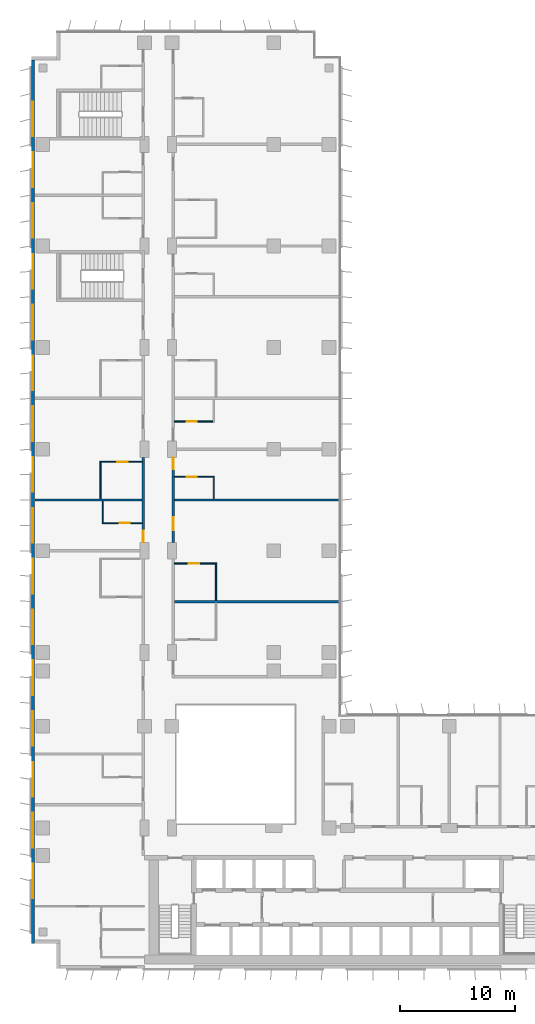
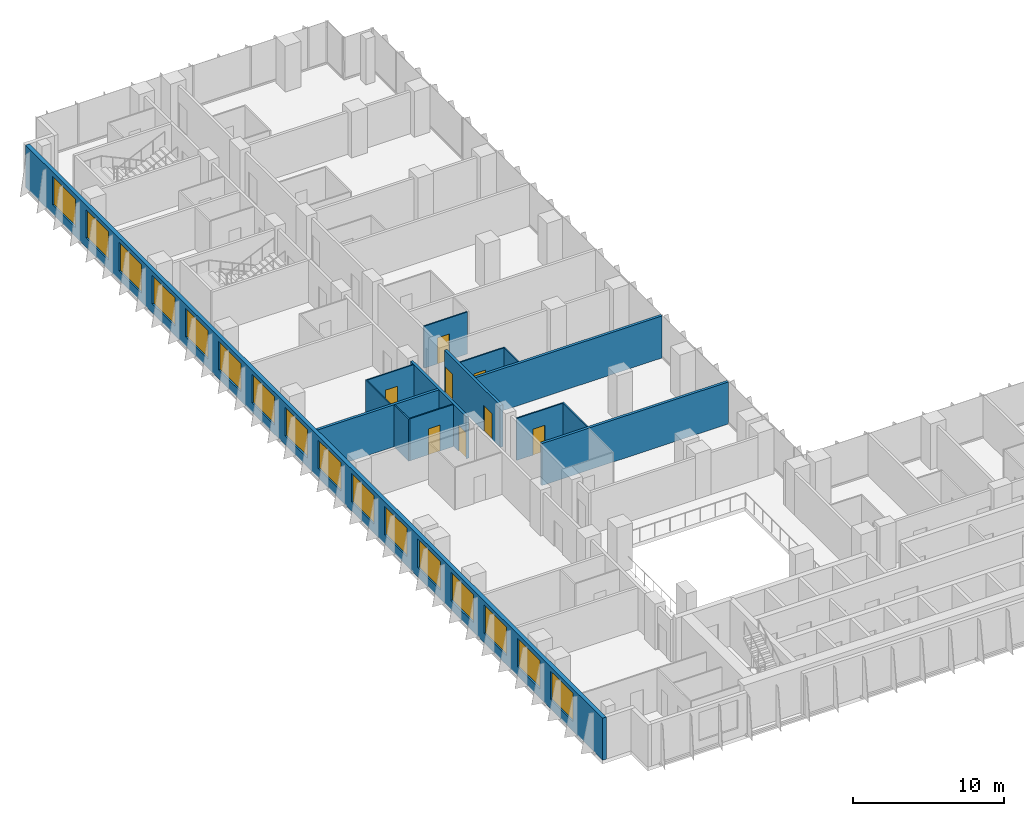
# One storey, part 15 of 22: 16 windows, 15 walls, 8 doors, 24 openings.
"""IFC4 building model written with IfcOpenShell, lengths in metres."""

from ifc_helpers import new_model, si_unit, direction, frame, frame_2d, origin, place, context, subcontext, project, spatial, rectangle, extrude, material, layer, layer_set, type_object, element, fill, save


model = new_model("IFC4")

# Units and contexts
model_context = context("Model", 3, precision=1e-05, world=origin(), true_north=direction((0.0, 1.0)))
body_context = subcontext(model_context, "Body", "Model", "MODEL_VIEW")
ifc_project = project(units=[si_unit("LENGTHUNIT", "METRE"), si_unit("AREAUNIT", "SQUARE_METRE"), si_unit("VOLUMEUNIT", "CUBIC_METRE"), si_unit("PLANEANGLEUNIT", "RADIAN"), si_unit("MASSUNIT", "GRAM", prefix="KILO")], contexts=[model_context])

# Site, building, storey
site_placement = place(None, origin())
site = spatial("IfcSite", under=ifc_project, at=site_placement, CompositionType="ELEMENT")
building_placement = place(site_placement, origin())
building = spatial("IfcBuilding", under=site, at=building_placement, Name="Kemantara Hotel Tower", CompositionType="ELEMENT")
storey_placement = place(building_placement, frame((0.0, 0.0, 107.39990234375)))
storey = spatial("IfcBuildingStorey", under=building, at=storey_placement, Name="L25", CompositionType="ELEMENT", Elevation=107.39990234375)

# Wall, openings, windows
ifc_material_1 = material(Name="Bronze anodised aluminium cladding on insulated steel stud wall", Category="steel")
ifc_layer_1 = layer(ifc_material_1, 0.300048828125)
ifc_layer_set_1 = layer_set([ifc_layer_1], Name="Bronze anodised aluminium cladding on insulated steel stud wall")
wall_type_1 = type_object("IfcWallType", Name="BRONZE METAL-CLAD EXTERNAL WALL 300", PredefinedType="STANDARD", material=ifc_layer_set_1)
wall_1_placement = place(storey_placement, frame((0.14990234375, 78.699951171875, 0.0), z_axis=(0.0, 0.0, 1.0), x_axis=(0.0, -1.0, 0.0)))
wall_1 = element("IfcWall", 1, at=wall_1_placement, inside=storey, type_object=wall_type_1, Name="EXTERNAL WALL L25 T2-R04", PredefinedType="STANDARD", context=body_context, shape_type="SweptSolid", body=[
    extrude(rectangle(XDim=76.5, YDim=0.300048828125, at=frame_2d((38.25, 0.0))), origin(), (0.0, 0.0, 1.0), 3.400146484375),
])
opening_1_placement = place(wall_1_placement, frame((3.60009765625, 0.0, 0.75)))
opening_1 = element("IfcOpeningElement", 2, at=opening_1_placement, cuts=wall_1, Name="Opening W1", PredefinedType="OPENING", context=body_context, shape_type="SweptSolid", body=[
    extrude(rectangle(XDim=3.0, YDim=2.300048828125, at=frame_2d((1.5, 1.14990234375))), frame((0.0, 0.159912109375, 0.0), z_axis=(0.0, -1.0, 0.0), x_axis=(1.0, 0.0, 0.0)), (0.0, 0.0, 1.0), 0.320068359375),
])
opening_2_placement = place(wall_1_placement, frame((8.0, 0.0, 0.75)))
opening_2 = element("IfcOpeningElement", 3, at=opening_2_placement, cuts=wall_1, Name="Opening W1", PredefinedType="OPENING", context=body_context, shape_type="SweptSolid", body=[
    extrude(rectangle(XDim=3.0, YDim=2.300048828125, at=frame_2d((1.5, 1.14990234375))), frame((0.0, 0.159912109375, 0.0), z_axis=(0.0, -1.0, 0.0), x_axis=(1.0, 0.0, 0.0)), (0.0, 0.0, 1.0), 0.320068359375),
])
opening_3_placement = place(wall_1_placement, frame((12.39990234375, 0.0, 0.75)))
opening_3 = element("IfcOpeningElement", 4, at=opening_3_placement, cuts=wall_1, Name="Opening W1", PredefinedType="OPENING", context=body_context, shape_type="SweptSolid", body=[
    extrude(rectangle(XDim=3.0, YDim=2.300048828125, at=frame_2d((1.5, 1.14990234375))), frame((0.0, 0.159912109375, 0.0), z_axis=(0.0, -1.0, 0.0), x_axis=(1.0, 0.0, 0.0)), (0.0, 0.0, 1.0), 0.320068359375),
])
opening_4_placement = place(wall_1_placement, frame((16.800048828125, 0.0, 0.75)))
opening_4 = element("IfcOpeningElement", 5, at=opening_4_placement, cuts=wall_1, Name="Opening W1", PredefinedType="OPENING", context=body_context, shape_type="SweptSolid", body=[
    extrude(rectangle(XDim=3.0, YDim=2.300048828125, at=frame_2d((1.5, 1.14990234375))), frame((0.0, 0.159912109375, 0.0), z_axis=(0.0, -1.0, 0.0), x_axis=(1.0, 0.0, 0.0)), (0.0, 0.0, 1.0), 0.320068359375),
])
opening_5_placement = place(wall_1_placement, frame((21.199951171875, 0.0, 0.75)))
opening_5 = element("IfcOpeningElement", 6, at=opening_5_placement, cuts=wall_1, Name="Opening W1", PredefinedType="OPENING", context=body_context, shape_type="SweptSolid", body=[
    extrude(rectangle(XDim=3.0, YDim=2.300048828125, at=frame_2d((1.5, 1.14990234375))), frame((0.0, 0.159912109375, 0.0), z_axis=(0.0, -1.0, 0.0), x_axis=(1.0, 0.0, 0.0)), (0.0, 0.0, 1.0), 0.320068359375),
])
opening_6_placement = place(wall_1_placement, frame((25.60009765625, 0.0, 0.75)))
opening_6 = element("IfcOpeningElement", 7, at=opening_6_placement, cuts=wall_1, Name="Opening W1", PredefinedType="OPENING", context=body_context, shape_type="SweptSolid", body=[
    extrude(rectangle(XDim=3.0, YDim=2.300048828125, at=frame_2d((1.5, 1.14990234375))), frame((0.0, 0.159912109375, 0.0), z_axis=(0.0, -1.0, 0.0), x_axis=(1.0, 0.0, 0.0)), (0.0, 0.0, 1.0), 0.320068359375),
])
opening_7_placement = place(wall_1_placement, frame((30.0, 0.0, 0.75)))
opening_7 = element("IfcOpeningElement", 8, at=opening_7_placement, cuts=wall_1, Name="Opening W1", PredefinedType="OPENING", context=body_context, shape_type="SweptSolid", body=[
    extrude(rectangle(XDim=3.0, YDim=2.300048828125, at=frame_2d((1.5, 1.14990234375))), frame((0.0, 0.159912109375, 0.0), z_axis=(0.0, -1.0, 0.0), x_axis=(1.0, 0.0, 0.0)), (0.0, 0.0, 1.0), 0.320068359375),
])
opening_8_placement = place(wall_1_placement, frame((34.39990234375, 0.0, 0.75)))
opening_8 = element("IfcOpeningElement", 9, at=opening_8_placement, cuts=wall_1, Name="Opening W1", PredefinedType="OPENING", context=body_context, shape_type="SweptSolid", body=[
    extrude(rectangle(XDim=3.0, YDim=2.300048828125, at=frame_2d((1.5, 1.14990234375))), frame((0.0, 0.159912109375, 0.0), z_axis=(0.0, -1.0, 0.0), x_axis=(1.0, 0.0, 0.0)), (0.0, 0.0, 1.0), 0.320068359375),
])
opening_9_placement = place(wall_1_placement, frame((38.800048828125, 0.0, 0.75)))
opening_9 = element("IfcOpeningElement", 10, at=opening_9_placement, cuts=wall_1, Name="Opening W1", PredefinedType="OPENING", context=body_context, shape_type="SweptSolid", body=[
    extrude(rectangle(XDim=3.0, YDim=2.300048828125, at=frame_2d((1.5, 1.14990234375))), frame((0.0, 0.159912109375, 0.0), z_axis=(0.0, -1.0, 0.0), x_axis=(1.0, 0.0, 0.0)), (0.0, 0.0, 1.0), 0.320068359375),
])
opening_10_placement = place(wall_1_placement, frame((43.199951171875, 0.0, 0.75)))
opening_10 = element("IfcOpeningElement", 11, at=opening_10_placement, cuts=wall_1, Name="Opening W1", PredefinedType="OPENING", context=body_context, shape_type="SweptSolid", body=[
    extrude(rectangle(XDim=3.0, YDim=2.300048828125, at=frame_2d((1.5, 1.14990234375))), frame((0.0, 0.159912109375, 0.0), z_axis=(0.0, -1.0, 0.0), x_axis=(1.0, 0.0, 0.0)), (0.0, 0.0, 1.0), 0.320068359375),
])
opening_11_placement = place(wall_1_placement, frame((47.60009765625, 0.0, 0.75)))
opening_11 = element("IfcOpeningElement", 12, at=opening_11_placement, cuts=wall_1, Name="Opening W1", PredefinedType="OPENING", context=body_context, shape_type="SweptSolid", body=[
    extrude(rectangle(XDim=3.0, YDim=2.300048828125, at=frame_2d((1.5, 1.14990234375))), frame((0.0, 0.159912109375, 0.0), z_axis=(0.0, -1.0, 0.0), x_axis=(1.0, 0.0, 0.0)), (0.0, 0.0, 1.0), 0.320068359375),
])
opening_12_placement = place(wall_1_placement, frame((52.0, 0.0, 0.75)))
opening_12 = element("IfcOpeningElement", 13, at=opening_12_placement, cuts=wall_1, Name="Opening W1", PredefinedType="OPENING", context=body_context, shape_type="SweptSolid", body=[
    extrude(rectangle(XDim=3.0, YDim=2.300048828125, at=frame_2d((1.5, 1.14990234375))), frame((0.0, 0.159912109375, 0.0), z_axis=(0.0, -1.0, 0.0), x_axis=(1.0, 0.0, 0.0)), (0.0, 0.0, 1.0), 0.320068359375),
])
opening_13_placement = place(wall_1_placement, frame((56.39990234375, 0.0, 0.75)))
opening_13 = element("IfcOpeningElement", 14, at=opening_13_placement, cuts=wall_1, Name="Opening W1", PredefinedType="OPENING", context=body_context, shape_type="SweptSolid", body=[
    extrude(rectangle(XDim=3.0, YDim=2.300048828125, at=frame_2d((1.5, 1.14990234375))), frame((0.0, 0.159912109375, 0.0), z_axis=(0.0, -1.0, 0.0), x_axis=(1.0, 0.0, 0.0)), (0.0, 0.0, 1.0), 0.320068359375),
])
opening_14_placement = place(wall_1_placement, frame((60.800048828125, 0.0, 0.75)))
opening_14 = element("IfcOpeningElement", 15, at=opening_14_placement, cuts=wall_1, Name="Opening W1", PredefinedType="OPENING", context=body_context, shape_type="SweptSolid", body=[
    extrude(rectangle(XDim=3.0, YDim=2.300048828125, at=frame_2d((1.5, 1.14990234375))), frame((0.0, 0.159912109375, 0.0), z_axis=(0.0, -1.0, 0.0), x_axis=(1.0, 0.0, 0.0)), (0.0, 0.0, 1.0), 0.320068359375),
])
opening_15_placement = place(wall_1_placement, frame((65.199951171875, 0.0, 0.75)))
opening_15 = element("IfcOpeningElement", 16, at=opening_15_placement, cuts=wall_1, Name="Opening W1", PredefinedType="OPENING", context=body_context, shape_type="SweptSolid", body=[
    extrude(rectangle(XDim=3.0, YDim=2.300048828125, at=frame_2d((1.5, 1.14990234375))), frame((0.0, 0.159912109375, 0.0), z_axis=(0.0, -1.0, 0.0), x_axis=(1.0, 0.0, 0.0)), (0.0, 0.0, 1.0), 0.320068359375),
])
opening_16_placement = place(wall_1_placement, frame((69.60009765625, 0.0, 0.75)))
opening_16 = element("IfcOpeningElement", 17, at=opening_16_placement, cuts=wall_1, Name="Opening W1", PredefinedType="OPENING", context=body_context, shape_type="SweptSolid", body=[
    extrude(rectangle(XDim=3.0, YDim=2.300048828125, at=frame_2d((1.5, 1.14990234375))), frame((0.0, 0.159912109375, 0.0), z_axis=(0.0, -1.0, 0.0), x_axis=(1.0, 0.0, 0.0)), (0.0, 0.0, 1.0), 0.320068359375),
])
ifc_material_2 = material(Name="Low-E tinted double insulated glass in bronze anodised aluminium frame", Category="aluminium")
window_type = type_object("IfcWindowType", Name="CHICAGO WINDOW, TRIPLE PANEL 3000x2300", PartitioningType="TRIPLE_PANEL_VERTICAL", PredefinedType="WINDOW", material=ifc_material_2)
window_1_placement = place(opening_1_placement, origin())
window_1 = element("IfcWindow", 18, at=window_1_placement, inside=storey, type_object=window_type, Name="CHICAGO WINDOW L25 T2-R04-54", OverallHeight=2.300048828125, OverallWidth=3.0, PartitioningType="SINGLE_PANEL", PredefinedType="WINDOW", context=body_context, shape_type="SweptSolid", body=[
    extrude(rectangle(XDim=3.0, YDim=2.300048828125, at=frame_2d((1.5, 1.14990234375))), frame((0.0, 0.030029296875, 0.0), z_axis=(0.0, -1.0, 0.0), x_axis=(1.0, 0.0, 0.0)), (0.0, 0.0, 1.0), 0.06005859375),
])
fill(opening_1, window_1)
window_2_placement = place(opening_2_placement, origin())
window_2 = element("IfcWindow", 19, at=window_2_placement, inside=storey, type_object=window_type, Name="CHICAGO WINDOW L25 T2-R04-98", OverallHeight=2.300048828125, OverallWidth=3.0, PartitioningType="SINGLE_PANEL", PredefinedType="WINDOW", context=body_context, shape_type="SweptSolid", body=[
    extrude(rectangle(XDim=3.0, YDim=2.300048828125, at=frame_2d((1.5, 1.14990234375))), frame((0.0, 0.030029296875, 0.0), z_axis=(0.0, -1.0, 0.0), x_axis=(1.0, 0.0, 0.0)), (0.0, 0.0, 1.0), 0.06005859375),
])
fill(opening_2, window_2)
window_3_placement = place(opening_3_placement, origin())
window_3 = element("IfcWindow", 20, at=window_3_placement, inside=storey, type_object=window_type, Name="CHICAGO WINDOW L25 T2-R04-142", OverallHeight=2.300048828125, OverallWidth=3.0, PartitioningType="SINGLE_PANEL", PredefinedType="WINDOW", context=body_context, shape_type="SweptSolid", body=[
    extrude(rectangle(XDim=3.0, YDim=2.300048828125, at=frame_2d((1.5, 1.14990234375))), frame((0.0, 0.030029296875, 0.0), z_axis=(0.0, -1.0, 0.0), x_axis=(1.0, 0.0, 0.0)), (0.0, 0.0, 1.0), 0.06005859375),
])
fill(opening_3, window_3)
window_4_placement = place(opening_4_placement, origin())
window_4 = element("IfcWindow", 21, at=window_4_placement, inside=storey, type_object=window_type, Name="CHICAGO WINDOW L25 T2-R04-186", OverallHeight=2.300048828125, OverallWidth=3.0, PartitioningType="SINGLE_PANEL", PredefinedType="WINDOW", context=body_context, shape_type="SweptSolid", body=[
    extrude(rectangle(XDim=3.0, YDim=2.300048828125, at=frame_2d((1.5, 1.14990234375))), frame((0.0, 0.030029296875, 0.0), z_axis=(0.0, -1.0, 0.0), x_axis=(1.0, 0.0, 0.0)), (0.0, 0.0, 1.0), 0.06005859375),
])
fill(opening_4, window_4)
window_5_placement = place(opening_5_placement, origin())
window_5 = element("IfcWindow", 22, at=window_5_placement, inside=storey, type_object=window_type, Name="CHICAGO WINDOW L25 T2-R04-230", OverallHeight=2.300048828125, OverallWidth=3.0, PartitioningType="SINGLE_PANEL", PredefinedType="WINDOW", context=body_context, shape_type="SweptSolid", body=[
    extrude(rectangle(XDim=3.0, YDim=2.300048828125, at=frame_2d((1.5, 1.14990234375))), frame((0.0, 0.030029296875, 0.0), z_axis=(0.0, -1.0, 0.0), x_axis=(1.0, 0.0, 0.0)), (0.0, 0.0, 1.0), 0.06005859375),
])
fill(opening_5, window_5)
window_6_placement = place(opening_6_placement, origin())
window_6 = element("IfcWindow", 23, at=window_6_placement, inside=storey, type_object=window_type, Name="CHICAGO WINDOW L25 T2-R04-274", OverallHeight=2.300048828125, OverallWidth=3.0, PartitioningType="SINGLE_PANEL", PredefinedType="WINDOW", context=body_context, shape_type="SweptSolid", body=[
    extrude(rectangle(XDim=3.0, YDim=2.300048828125, at=frame_2d((1.5, 1.14990234375))), frame((0.0, 0.030029296875, 0.0), z_axis=(0.0, -1.0, 0.0), x_axis=(1.0, 0.0, 0.0)), (0.0, 0.0, 1.0), 0.06005859375),
])
fill(opening_6, window_6)
window_7_placement = place(opening_7_placement, origin())
window_7 = element("IfcWindow", 24, at=window_7_placement, inside=storey, type_object=window_type, Name="CHICAGO WINDOW L25 T2-R04-318", OverallHeight=2.300048828125, OverallWidth=3.0, PartitioningType="SINGLE_PANEL", PredefinedType="WINDOW", context=body_context, shape_type="SweptSolid", body=[
    extrude(rectangle(XDim=3.0, YDim=2.300048828125, at=frame_2d((1.5, 1.14990234375))), frame((0.0, 0.030029296875, 0.0), z_axis=(0.0, -1.0, 0.0), x_axis=(1.0, 0.0, 0.0)), (0.0, 0.0, 1.0), 0.06005859375),
])
fill(opening_7, window_7)
window_8_placement = place(opening_8_placement, origin())
window_8 = element("IfcWindow", 25, at=window_8_placement, inside=storey, type_object=window_type, Name="CHICAGO WINDOW L25 T2-R04-362", OverallHeight=2.300048828125, OverallWidth=3.0, PartitioningType="SINGLE_PANEL", PredefinedType="WINDOW", context=body_context, shape_type="SweptSolid", body=[
    extrude(rectangle(XDim=3.0, YDim=2.300048828125, at=frame_2d((1.5, 1.14990234375))), frame((0.0, 0.030029296875, 0.0), z_axis=(0.0, -1.0, 0.0), x_axis=(1.0, 0.0, 0.0)), (0.0, 0.0, 1.0), 0.06005859375),
])
fill(opening_8, window_8)
window_9_placement = place(opening_9_placement, origin())
window_9 = element("IfcWindow", 26, at=window_9_placement, inside=storey, type_object=window_type, Name="CHICAGO WINDOW L25 T2-R04-406", OverallHeight=2.300048828125, OverallWidth=3.0, PartitioningType="SINGLE_PANEL", PredefinedType="WINDOW", context=body_context, shape_type="SweptSolid", body=[
    extrude(rectangle(XDim=3.0, YDim=2.300048828125, at=frame_2d((1.5, 1.14990234375))), frame((0.0, 0.030029296875, 0.0), z_axis=(0.0, -1.0, 0.0), x_axis=(1.0, 0.0, 0.0)), (0.0, 0.0, 1.0), 0.06005859375),
])
fill(opening_9, window_9)
window_10_placement = place(opening_10_placement, origin())
window_10 = element("IfcWindow", 27, at=window_10_placement, inside=storey, type_object=window_type, Name="CHICAGO WINDOW L25 T2-R04-450", OverallHeight=2.300048828125, OverallWidth=3.0, PartitioningType="SINGLE_PANEL", PredefinedType="WINDOW", context=body_context, shape_type="SweptSolid", body=[
    extrude(rectangle(XDim=3.0, YDim=2.300048828125, at=frame_2d((1.5, 1.14990234375))), frame((0.0, 0.030029296875, 0.0), z_axis=(0.0, -1.0, 0.0), x_axis=(1.0, 0.0, 0.0)), (0.0, 0.0, 1.0), 0.06005859375),
])
fill(opening_10, window_10)
window_11_placement = place(opening_11_placement, origin())
window_11 = element("IfcWindow", 28, at=window_11_placement, inside=storey, type_object=window_type, Name="CHICAGO WINDOW L25 T2-R04-494", OverallHeight=2.300048828125, OverallWidth=3.0, PartitioningType="SINGLE_PANEL", PredefinedType="WINDOW", context=body_context, shape_type="SweptSolid", body=[
    extrude(rectangle(XDim=3.0, YDim=2.300048828125, at=frame_2d((1.5, 1.14990234375))), frame((0.0, 0.030029296875, 0.0), z_axis=(0.0, -1.0, 0.0), x_axis=(1.0, 0.0, 0.0)), (0.0, 0.0, 1.0), 0.06005859375),
])
fill(opening_11, window_11)
window_12_placement = place(opening_12_placement, origin())
window_12 = element("IfcWindow", 29, at=window_12_placement, inside=storey, type_object=window_type, Name="CHICAGO WINDOW L25 T2-R04-538", OverallHeight=2.300048828125, OverallWidth=3.0, PartitioningType="SINGLE_PANEL", PredefinedType="WINDOW", context=body_context, shape_type="SweptSolid", body=[
    extrude(rectangle(XDim=3.0, YDim=2.300048828125, at=frame_2d((1.5, 1.14990234375))), frame((0.0, 0.030029296875, 0.0), z_axis=(0.0, -1.0, 0.0), x_axis=(1.0, 0.0, 0.0)), (0.0, 0.0, 1.0), 0.06005859375),
])
fill(opening_12, window_12)
window_13_placement = place(opening_13_placement, origin())
window_13 = element("IfcWindow", 30, at=window_13_placement, inside=storey, type_object=window_type, Name="CHICAGO WINDOW L25 T2-R04-582", OverallHeight=2.300048828125, OverallWidth=3.0, PartitioningType="SINGLE_PANEL", PredefinedType="WINDOW", context=body_context, shape_type="SweptSolid", body=[
    extrude(rectangle(XDim=3.0, YDim=2.300048828125, at=frame_2d((1.5, 1.14990234375))), frame((0.0, 0.030029296875, 0.0), z_axis=(0.0, -1.0, 0.0), x_axis=(1.0, 0.0, 0.0)), (0.0, 0.0, 1.0), 0.06005859375),
])
fill(opening_13, window_13)
window_14_placement = place(opening_14_placement, origin())
window_14 = element("IfcWindow", 31, at=window_14_placement, inside=storey, type_object=window_type, Name="CHICAGO WINDOW L25 T2-R04-626", OverallHeight=2.300048828125, OverallWidth=3.0, PartitioningType="SINGLE_PANEL", PredefinedType="WINDOW", context=body_context, shape_type="SweptSolid", body=[
    extrude(rectangle(XDim=3.0, YDim=2.300048828125, at=frame_2d((1.5, 1.14990234375))), frame((0.0, 0.030029296875, 0.0), z_axis=(0.0, -1.0, 0.0), x_axis=(1.0, 0.0, 0.0)), (0.0, 0.0, 1.0), 0.06005859375),
])
fill(opening_14, window_14)
window_15_placement = place(opening_15_placement, origin())
window_15 = element("IfcWindow", 32, at=window_15_placement, inside=storey, type_object=window_type, Name="CHICAGO WINDOW L25 T2-R04-670", OverallHeight=2.300048828125, OverallWidth=3.0, PartitioningType="SINGLE_PANEL", PredefinedType="WINDOW", context=body_context, shape_type="SweptSolid", body=[
    extrude(rectangle(XDim=3.0, YDim=2.300048828125, at=frame_2d((1.5, 1.14990234375))), frame((0.0, 0.030029296875, 0.0), z_axis=(0.0, -1.0, 0.0), x_axis=(1.0, 0.0, 0.0)), (0.0, 0.0, 1.0), 0.06005859375),
])
fill(opening_15, window_15)
window_16_placement = place(opening_16_placement, origin())
window_16 = element("IfcWindow", 33, at=window_16_placement, inside=storey, type_object=window_type, Name="CHICAGO WINDOW L25 T2-R04-714", OverallHeight=2.300048828125, OverallWidth=3.0, PartitioningType="SINGLE_PANEL", PredefinedType="WINDOW", context=body_context, shape_type="SweptSolid", body=[
    extrude(rectangle(XDim=3.0, YDim=2.300048828125, at=frame_2d((1.5, 1.14990234375))), frame((0.0, 0.030029296875, 0.0), z_axis=(0.0, -1.0, 0.0), x_axis=(1.0, 0.0, 0.0)), (0.0, 0.0, 1.0), 0.06005859375),
])
fill(opening_16, window_16)

# Wall, opening, door
ifc_material_3 = material(Name="Gypsum board partition, steel studs and mineral wool, 200 mm", Category="steel")
ifc_layer_2 = layer(ifc_material_3, 0.199951171875)
ifc_layer_set_2 = layer_set([ifc_layer_2], Name="Gypsum board partition, steel studs and mineral wool, 200 mm")
wall_type_2 = type_object("IfcWallType", Name="CORRIDOR WALL 200", PredefinedType="PARTITIONING", material=ifc_layer_set_2)
wall_2_placement = place(storey_placement, frame((9.699951171875, 36.900146484375, 0.0), z_axis=(0.0, 0.0, 1.0), x_axis=(0.0, 1.0, 0.0)))
wall_2 = element("IfcWall", 34, at=wall_2_placement, inside=storey, type_object=wall_type_2, Name="CORRIDOR WALL 200 020", PredefinedType="PARTITIONING", context=body_context, shape_type="SweptSolid", body=[
    extrude(rectangle(XDim=7.399658203125, YDim=0.199951171875, at=frame_2d((3.69970703125, 0.0))), origin(), (0.0, 0.0, 1.0), 3.400146484375),
])
opening_17_placement = place(wall_2_placement, frame((0.0498046875, 0.0, 0.0)))
opening_17 = element("IfcOpeningElement", 35, at=opening_17_placement, cuts=wall_2, Name="Opening F11-025", PredefinedType="OPENING", context=body_context, shape_type="SweptSolid", body=[
    extrude(rectangle(XDim=1.0, YDim=2.10009765625, at=frame_2d((0.5, 1.050048828125))), frame((0.0, 0.10986328125, 0.0), z_axis=(0.0, -1.0, 0.0), x_axis=(1.0, 0.0, 0.0)), (0.0, 0.0, 1.0), 0.219970703125),
])
ifc_material_4 = material(Name="Hardwood veneer door leaf with steel frame", Category="steel")
door_type_1 = type_object("IfcDoorType", Name="GUEST ROOM DOOR 1000 X 2100 FD30S", OperationType="NOTDEFINED", PredefinedType="DOOR", material=ifc_material_4)
door_1_placement = place(opening_17_placement, origin())
door_1 = element("IfcDoor", 36, at=door_1_placement, inside=storey, type_object=door_type_1, Name="GUEST ROOM DOOR F11-025", OperationType="SINGLE_SWING_LEFT", OverallHeight=2.10009765625, OverallWidth=1.0, PredefinedType="DOOR", context=body_context, shape_type="SweptSolid", body=[
    extrude(rectangle(XDim=1.0, YDim=2.10009765625, at=frame_2d((0.5, 1.050048828125))), frame((0.0, 0.02490234375, 0.0), z_axis=(0.0, -1.0, 0.0), x_axis=(1.0, 0.0, 0.0)), (0.0, 0.0, 1.0), 0.050048828125),
])
fill(opening_17, door_1)

# Wall, openings, doors
wall_3_placement = place(storey_placement, frame((12.300048828125, 44.2998046875, 0.0), z_axis=(0.0, 0.0, 1.0), x_axis=(0.0, -1.0, 0.0)))
wall_3 = element("IfcWall", 37, at=wall_3_placement, inside=storey, type_object=wall_type_2, Name="CORRIDOR WALL 200 035", PredefinedType="PARTITIONING", context=body_context, shape_type="SweptSolid", body=[
    extrude(rectangle(XDim=7.399658203125, YDim=0.199951171875, at=frame_2d((3.69970703125, 0.0))), origin(), (0.0, 0.0, 1.0), 3.400146484375),
])
opening_18_placement = place(wall_3_placement, frame((5.199951171875, 0.0, 0.0)))
opening_18 = element("IfcOpeningElement", 38, at=opening_18_placement, cuts=wall_3, Name="Opening F11-039", PredefinedType="OPENING", context=body_context, shape_type="SweptSolid", body=[
    extrude(rectangle(XDim=1.10009765625, YDim=2.10009765625, at=frame_2d((0.550048828125, 1.050048828125))), frame((0.0, 0.10986328125, 0.0), z_axis=(0.0, -1.0, 0.0), x_axis=(1.0, 0.0, 0.0)), (0.0, 0.0, 1.0), 0.219970703125),
])
opening_19_placement = place(wall_3_placement, frame((0.0498046875, 0.0, 0.0)))
opening_19 = element("IfcOpeningElement", 39, at=opening_19_placement, cuts=wall_3, Name="Opening F11-041", PredefinedType="OPENING", context=body_context, shape_type="SweptSolid", body=[
    extrude(rectangle(XDim=1.0, YDim=2.10009765625, at=frame_2d((0.5, 1.050048828125))), frame((0.0, 0.10986328125, 0.0), z_axis=(0.0, -1.0, 0.0), x_axis=(1.0, 0.0, 0.0)), (0.0, 0.0, 1.0), 0.219970703125),
])
door_2_placement = place(opening_19_placement, origin())
door_2 = element("IfcDoor", 40, at=door_2_placement, inside=storey, type_object=door_type_1, Name="GUEST ROOM DOOR F11-041", OperationType="SINGLE_SWING_LEFT", OverallHeight=2.10009765625, OverallWidth=1.0, PredefinedType="DOOR", context=body_context, shape_type="SweptSolid", body=[
    extrude(rectangle(XDim=1.0, YDim=2.10009765625, at=frame_2d((0.5, 1.050048828125))), frame((0.0, 0.02490234375, 0.0), z_axis=(0.0, -1.0, 0.0), x_axis=(1.0, 0.0, 0.0)), (0.0, 0.0, 1.0), 0.050048828125),
])
fill(opening_19, door_2)
door_type_2 = type_object("IfcDoorType", Name="SUITE ENTRANCE DOOR 1100 X 2100 FD30S", OperationType="NOTDEFINED", PredefinedType="DOOR", material=ifc_material_4)
door_3_placement = place(opening_18_placement, origin())
door_3 = element("IfcDoor", 41, at=door_3_placement, inside=storey, type_object=door_type_2, Name="SUITE ENTRANCE DOOR F11-039", OperationType="SINGLE_SWING_LEFT", OverallHeight=2.10009765625, OverallWidth=1.10009765625, PredefinedType="DOOR", context=body_context, shape_type="SweptSolid", body=[
    extrude(rectangle(XDim=1.10009765625, YDim=2.10009765625, at=frame_2d((0.550048828125, 1.050048828125))), frame((0.0, 0.02490234375, 0.0), z_axis=(0.0, -1.0, 0.0), x_axis=(1.0, 0.0, 0.0)), (0.0, 0.0, 1.0), 0.050048828125),
])
fill(opening_18, door_3)

# Walls
ifc_layer_3 = layer(ifc_material_3, 0.199951171875)
ifc_layer_set_3 = layer_set([ifc_layer_3], Name="Gypsum board partition, steel studs and mineral wool, 200 mm")
wall_type_3 = type_object("IfcWallType", Name="GUEST ROOM PARTY WALL 200", PredefinedType="PARTITIONING", material=ifc_layer_set_3)
wall_4_placement = place(storey_placement, frame((0.31005859375, 40.60009765625, 0.0), z_axis=(0.0, 0.0, 1.0), x_axis=(1.0, 0.0, 0.0)))
element("IfcWall", 42, at=wall_4_placement, inside=storey, type_object=wall_type_3, Name="GUEST ROOM PARTY WALL 200 028", PredefinedType="PARTITIONING", context=body_context, shape_type="SweptSolid", body=[
    extrude(rectangle(XDim=9.2900390625, YDim=0.199951171875, at=frame_2d((4.64501953125, 0.0))), origin(), (0.0, 0.0, 1.0), 3.400146484375),
])
for number, where, z_axis, x_axis, name in (
    (43, (12.39990234375, 40.60009765625, 0.0), (0.0, 0.0, 1.0), (1.0, 0.0, 0.0), "GUEST ROOM PARTY WALL 200 029"),
    (44, (12.39990234375, 31.800048828125, 0.0), (0.0, 0.0, 1.0), (1.0, 0.0, 0.0), "GUEST ROOM PARTY WALL 200 042"),
):
    element("IfcWall", number, at=place(storey_placement, frame(where, z_axis=z_axis, x_axis=x_axis)), inside=storey, type_object=wall_type_3, Name=name, PredefinedType="PARTITIONING", context=body_context, shape_type="SweptSolid", body=[
        extrude(rectangle(XDim=14.27001953125, YDim=0.199951171875, at=frame_2d((7.135009765625, 0.0))), origin(), (0.0, 0.0, 1.0), 3.400146484375),
    ])
ifc_material_5 = material(Name="Gypsum board partition on steel studs, 100 mm", Category="steel")
ifc_layer_4 = layer(ifc_material_5, 0.10009765625)
ifc_layer_set_4 = layer_set([ifc_layer_4], Name="Gypsum board partition on steel studs, 100 mm")
wall_type_4 = type_object("IfcWallType", Name="ROOM PARTITION 100", PredefinedType="PARTITIONING", material=ifc_layer_set_4)
wall_5_placement = place(storey_placement, frame((6.199951171875, 38.550048828125, 0.0), z_axis=(0.0, 0.0, 1.0), x_axis=(0.0, 1.0, 0.0)))
element("IfcWall", 45, at=wall_5_placement, inside=storey, type_object=wall_type_4, Name="ROOM PARTITION 100 072", PredefinedType="PARTITIONING", context=body_context, shape_type="SweptSolid", body=[
    extrude(rectangle(XDim=1.949951171875, YDim=0.10009765625, at=frame_2d((0.97509765625, 0.0))), origin(), (0.0, 0.0, 1.0), 3.400146484375),
])
wall_6_placement = place(storey_placement, frame((6.0, 40.699951171875, 0.0), z_axis=(0.0, 0.0, 1.0), x_axis=(0.0, 1.0, 0.0)))
element("IfcWall", 46, at=wall_6_placement, inside=storey, type_object=wall_type_4, Name="ROOM PARTITION 100 077", PredefinedType="PARTITIONING", context=body_context, shape_type="SweptSolid", body=[
    extrude(rectangle(XDim=3.25, YDim=0.10009765625, at=frame_2d((1.625, 0.0))), origin(), (0.0, 0.0, 1.0), 3.400146484375),
])

# Wall, opening, door
wall_7_placement = place(storey_placement, frame((6.25, 38.60009765625, 0.0), z_axis=(0.0, 0.0, 1.0), x_axis=(1.0, 0.0, 0.0)))
wall_7 = element("IfcWall", 47, at=wall_7_placement, inside=storey, type_object=wall_type_4, Name="ROOM PARTITION 100 081", PredefinedType="PARTITIONING", context=body_context, shape_type="SweptSolid", body=[
    extrude(rectangle(XDim=3.35009765625, YDim=0.10009765625, at=frame_2d((1.675048828125, 0.0))), origin(), (0.0, 0.0, 1.0), 3.400146484375),
])
opening_20_placement = place(wall_7_placement, frame((1.39990234375, 0.0, 0.0)))
opening_20 = element("IfcOpeningElement", 48, at=opening_20_placement, cuts=wall_7, Name="Opening F11-026", PredefinedType="OPENING", context=body_context, shape_type="SweptSolid", body=[
    extrude(rectangle(XDim=0.89990234375, YDim=2.10009765625, at=frame_2d((0.449951171875, 1.050048828125))), frame((0.0, 0.06005859375, 0.0), z_axis=(0.0, -1.0, 0.0), x_axis=(1.0, 0.0, 0.0)), (0.0, 0.0, 1.0), 0.1201171875),
])
door_type_3 = type_object("IfcDoorType", Name="BATHROOM DOOR 900 X 2100", OperationType="NOTDEFINED", PredefinedType="DOOR", material=ifc_material_4)
door_4_placement = place(opening_20_placement, origin())
door_4 = element("IfcDoor", 49, at=door_4_placement, inside=storey, type_object=door_type_3, Name="BATHROOM DOOR F11-026", OperationType="SINGLE_SWING_RIGHT", OverallHeight=2.10009765625, OverallWidth=0.89990234375, PredefinedType="DOOR", context=body_context, shape_type="SweptSolid", body=[
    extrude(rectangle(XDim=0.89990234375, YDim=2.10009765625, at=frame_2d((0.449951171875, 1.050048828125))), frame((0.0, 0.02490234375, 0.0), z_axis=(0.0, -1.0, 0.0), x_axis=(1.0, 0.0, 0.0)), (0.0, 0.0, 1.0), 0.050048828125),
])
fill(opening_20, door_4)

wall_8_placement = place(storey_placement, frame((9.60009765625, 43.89990234375, 0.0), z_axis=(0.0, 0.0, 1.0), x_axis=(-1.0, 0.0, 0.0)))
wall_8 = element("IfcWall", 50, at=wall_8_placement, inside=storey, type_object=wall_type_4, Name="ROOM PARTITION 100 082", PredefinedType="PARTITIONING", context=body_context, shape_type="SweptSolid", body=[
    extrude(rectangle(XDim=3.550048828125, YDim=0.10009765625, at=frame_2d((1.77490234375, 0.0))), origin(), (0.0, 0.0, 1.0), 3.400146484375),
])
opening_21_placement = place(wall_8_placement, frame((1.25, 0.0, 0.0)))
opening_21 = element("IfcOpeningElement", 51, at=opening_21_placement, cuts=wall_8, Name="Opening F11-028", PredefinedType="OPENING", context=body_context, shape_type="SweptSolid", body=[
    extrude(rectangle(XDim=0.89990234375, YDim=2.10009765625, at=frame_2d((0.449951171875, 1.050048828125))), frame((0.0, 0.06005859375, 0.0), z_axis=(0.0, -1.0, 0.0), x_axis=(1.0, 0.0, 0.0)), (0.0, 0.0, 1.0), 0.1201171875),
])
door_5_placement = place(opening_21_placement, origin())
door_5 = element("IfcDoor", 52, at=door_5_placement, inside=storey, type_object=door_type_3, Name="BATHROOM DOOR F11-028", OperationType="SINGLE_SWING_LEFT", OverallHeight=2.10009765625, OverallWidth=0.89990234375, PredefinedType="DOOR", context=body_context, shape_type="SweptSolid", body=[
    extrude(rectangle(XDim=0.89990234375, YDim=2.10009765625, at=frame_2d((0.449951171875, 1.050048828125))), frame((0.0, 0.02490234375, 0.0), z_axis=(0.0, -1.0, 0.0), x_axis=(1.0, 0.0, 0.0)), (0.0, 0.0, 1.0), 0.050048828125),
])
fill(opening_21, door_5)

# Wall
wall_9_placement = place(storey_placement, frame((16.0, 31.89990234375, 0.0), z_axis=(0.0, 0.0, 1.0), x_axis=(0.0, 1.0, 0.0)))
element("IfcWall", 53, at=wall_9_placement, inside=storey, type_object=wall_type_4, Name="ROOM PARTITION 100 089", PredefinedType="PARTITIONING", context=body_context, shape_type="SweptSolid", body=[
    extrude(rectangle(XDim=3.25, YDim=0.10009765625, at=frame_2d((1.625, 0.0))), origin(), (0.0, 0.0, 1.0), 3.400146484375),
])

# Wall, opening, door
wall_10_placement = place(storey_placement, frame((15.949951171875, 35.10009765625, 0.0), z_axis=(0.0, 0.0, 1.0), x_axis=(-1.0, 0.0, 0.0)))
wall_10 = element("IfcWall", 54, at=wall_10_placement, inside=storey, type_object=wall_type_4, Name="ROOM PARTITION 100 093", PredefinedType="PARTITIONING", context=body_context, shape_type="SweptSolid", body=[
    extrude(rectangle(XDim=3.550048828125, YDim=0.10009765625, at=frame_2d((1.77490234375, 0.0))), origin(), (0.0, 0.0, 1.0), 3.400146484375),
])
opening_22_placement = place(wall_10_placement, frame((1.39990234375, 0.0, 0.0)))
opening_22 = element("IfcOpeningElement", 55, at=opening_22_placement, cuts=wall_10, Name="Opening F11-040", PredefinedType="OPENING", context=body_context, shape_type="SweptSolid", body=[
    extrude(rectangle(XDim=0.89990234375, YDim=2.10009765625, at=frame_2d((0.449951171875, 1.050048828125))), frame((0.0, 0.06005859375, 0.0), z_axis=(0.0, -1.0, 0.0), x_axis=(1.0, 0.0, 0.0)), (0.0, 0.0, 1.0), 0.1201171875),
])
door_6_placement = place(opening_22_placement, origin())
door_6 = element("IfcDoor", 56, at=door_6_placement, inside=storey, type_object=door_type_3, Name="BATHROOM DOOR F11-040", OperationType="SINGLE_SWING_RIGHT", OverallHeight=2.10009765625, OverallWidth=0.89990234375, PredefinedType="DOOR", context=body_context, shape_type="SweptSolid", body=[
    extrude(rectangle(XDim=0.89990234375, YDim=2.10009765625, at=frame_2d((0.449951171875, 1.050048828125))), frame((0.0, 0.02490234375, 0.0), z_axis=(0.0, -1.0, 0.0), x_axis=(1.0, 0.0, 0.0)), (0.0, 0.0, 1.0), 0.050048828125),
])
fill(opening_22, door_6)

# Wall
wall_11_placement = place(storey_placement, frame((15.800048828125, 40.699951171875, 0.0), z_axis=(0.0, 0.0, 1.0), x_axis=(0.0, 1.0, 0.0)))
element("IfcWall", 57, at=wall_11_placement, inside=storey, type_object=wall_type_4, Name="ROOM PARTITION 100 094", PredefinedType="PARTITIONING", context=body_context, shape_type="SweptSolid", body=[
    extrude(rectangle(XDim=1.949951171875, YDim=0.10009765625, at=frame_2d((0.97509765625, 0.0))), origin(), (0.0, 0.0, 1.0), 3.400146484375),
])

# Wall, opening, door
wall_12_placement = place(storey_placement, frame((15.75, 42.60009765625, 0.0), z_axis=(0.0, 0.0, 1.0), x_axis=(-1.0, 0.0, 0.0)))
wall_12 = element("IfcWall", 58, at=wall_12_placement, inside=storey, type_object=wall_type_4, Name="ROOM PARTITION 100 097", PredefinedType="PARTITIONING", context=body_context, shape_type="SweptSolid", body=[
    extrude(rectangle(XDim=3.35009765625, YDim=0.10009765625, at=frame_2d((1.675048828125, 0.0))), origin(), (0.0, 0.0, 1.0), 3.400146484375),
])
opening_23_placement = place(wall_12_placement, frame((1.39990234375, 0.0, 0.0)))
opening_23 = element("IfcOpeningElement", 59, at=opening_23_placement, cuts=wall_12, Name="Opening F11-042", PredefinedType="OPENING", context=body_context, shape_type="SweptSolid", body=[
    extrude(rectangle(XDim=0.89990234375, YDim=2.10009765625, at=frame_2d((0.449951171875, 1.050048828125))), frame((0.0, 0.06005859375, 0.0), z_axis=(0.0, -1.0, 0.0), x_axis=(1.0, 0.0, 0.0)), (0.0, 0.0, 1.0), 0.1201171875),
])
door_7_placement = place(opening_23_placement, origin())
door_7 = element("IfcDoor", 60, at=door_7_placement, inside=storey, type_object=door_type_3, Name="BATHROOM DOOR F11-042", OperationType="SINGLE_SWING_RIGHT", OverallHeight=2.10009765625, OverallWidth=0.89990234375, PredefinedType="DOOR", context=body_context, shape_type="SweptSolid", body=[
    extrude(rectangle(XDim=0.89990234375, YDim=2.10009765625, at=frame_2d((0.449951171875, 1.050048828125))), frame((0.0, 0.02490234375, 0.0), z_axis=(0.0, -1.0, 0.0), x_axis=(1.0, 0.0, 0.0)), (0.0, 0.0, 1.0), 0.050048828125),
])
fill(opening_23, door_7)

wall_13_placement = place(storey_placement, frame((12.39990234375, 47.39990234375, 0.0), z_axis=(0.0, 0.0, 1.0), x_axis=(1.0, 0.0, 0.0)))
wall_13 = element("IfcWall", 61, at=wall_13_placement, inside=storey, type_object=wall_type_4, Name="ROOM PARTITION 100 098", PredefinedType="PARTITIONING", context=body_context, shape_type="SweptSolid", body=[
    extrude(rectangle(XDim=3.35009765625, YDim=0.10009765625, at=frame_2d((1.675048828125, 0.0))), origin(), (0.0, 0.0, 1.0), 3.400146484375),
])
opening_24_placement = place(wall_13_placement, frame((1.050048828125, 0.0, 0.0)))
opening_24 = element("IfcOpeningElement", 62, at=opening_24_placement, cuts=wall_13, Name="Opening F11-044", PredefinedType="OPENING", context=body_context, shape_type="SweptSolid", body=[
    extrude(rectangle(XDim=0.89990234375, YDim=2.10009765625, at=frame_2d((0.449951171875, 1.050048828125))), frame((0.0, 0.06005859375, 0.0), z_axis=(0.0, -1.0, 0.0), x_axis=(1.0, 0.0, 0.0)), (0.0, 0.0, 1.0), 0.1201171875),
])
door_8_placement = place(opening_24_placement, origin())
door_8 = element("IfcDoor", 63, at=door_8_placement, inside=storey, type_object=door_type_3, Name="BATHROOM DOOR F11-044", OperationType="SINGLE_SWING_LEFT", OverallHeight=2.10009765625, OverallWidth=0.89990234375, PredefinedType="DOOR", context=body_context, shape_type="SweptSolid", body=[
    extrude(rectangle(XDim=0.89990234375, YDim=2.10009765625, at=frame_2d((0.449951171875, 1.050048828125))), frame((0.0, 0.02490234375, 0.0), z_axis=(0.0, -1.0, 0.0), x_axis=(1.0, 0.0, 0.0)), (0.0, 0.0, 1.0), 0.050048828125),
])
fill(opening_24, door_8)

save(model, "model.ifc")
